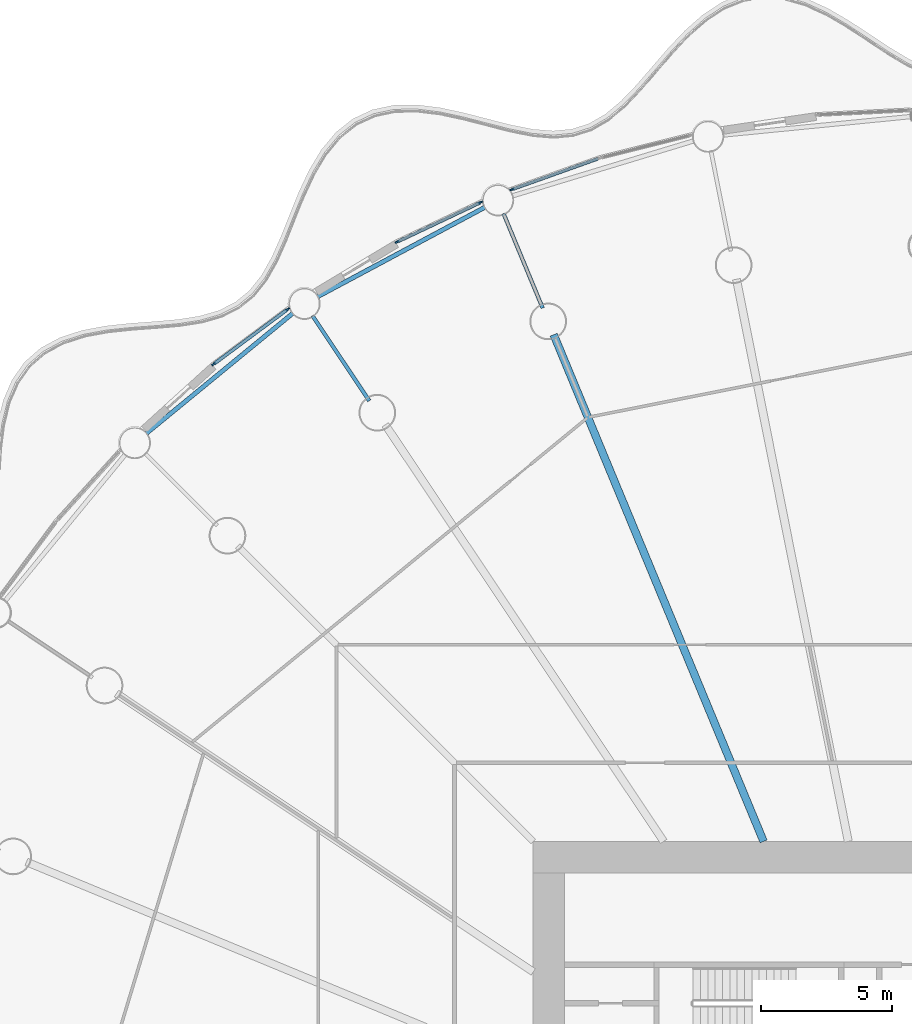
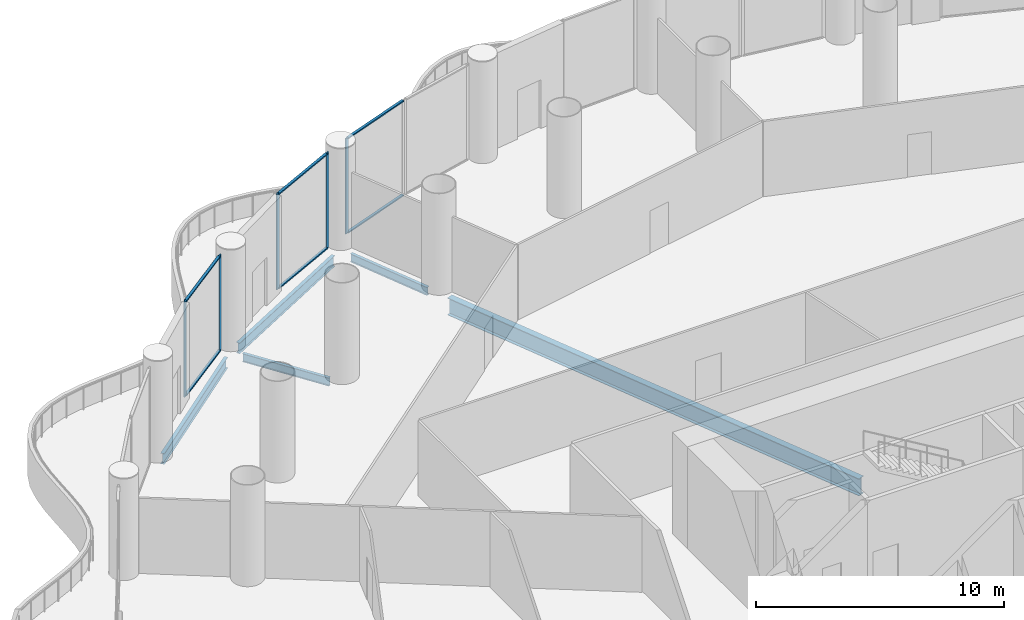
# One storey, part 15 of 38: 11 members, 5 beams, 3 elements without a shape of their own.
"""IFC4 building model written with IfcOpenShell, lengths in metres."""

import ifcopenshell
import ifcopenshell.guid

model = None  # the IFC model being written
_history = None  # IfcOwnerHistory: only IFC2X3 demands one
_inside = {}  # id of a spatial element -> (the spatial element, [elements in it])
_under = {}  # id of a project, library or spatial element -> (it, [spatial elements below it])
_declared = {}  # id of a project -> (the project, [libraries it declares])
_typed = {}  # id of a type object -> (the type object, [elements of that type])
_made_of = {}  # id of a material, layer set ... -> (it, [elements and type objects made of it])


def new_model(schema):
    """Start an empty IFC model of exactly this schema.

    Asked for "IFC4X3", IfcOpenShell would pick the latest addendum, in which some entities
    have other attributes; the version numbers below select the first issue.
    IFC2X3 requires an IfcOwnerHistory on every rooted entity: one is made here for all.
    """
    global model, _history
    if schema == "IFC4X3":
        model = ifcopenshell.file(schema_version=(4, 3, 0, 0))
    else:
        model = ifcopenshell.file(schema=schema)
    _inside.clear()
    _under.clear()
    _declared.clear()
    _typed.clear()
    _made_of.clear()
    _history = None
    if model.schema == "IFC2X3":
        org = make("IfcOrganization", Name="unknown")
        user = make(
            "IfcPersonAndOrganization",
            ThePerson=make("IfcPerson", FamilyName="unknown"),
            TheOrganization=org,
        )
        app = make(
            "IfcApplication",
            ApplicationDeveloper=org,
            Version="unknown",
            ApplicationFullName="unknown",
            ApplicationIdentifier="unknown",
        )
        _history = make(
            "IfcOwnerHistory",
            OwningUser=user,
            OwningApplication=app,
            ChangeAction="ADDED",
            CreationDate=0,
        )
    return model


def make(cls, **values):
    """One entity of the class cls with the attributes given. An attribute that is None is left unset."""
    return model.create_entity(
        cls, **{name: value for name, value in values.items() if value is not None}
    )


def rooted(cls, **values):
    """An entity with a GlobalId (a new one), such as an element, a storey or a relation."""
    return make(cls, GlobalId=ifcopenshell.guid.new(), OwnerHistory=_history, **values)


def si_unit(unit_type, name, prefix=None):
    """IfcSIUnit, for example si_unit("LENGTHUNIT", "METRE", prefix="MILLI")."""
    return make("IfcSIUnit", UnitType=unit_type, Prefix=prefix, Name=name)


def assignment(units):
    """IfcUnitAssignment: the units of a project."""
    return None if units is None else make("IfcUnitAssignment", Units=units)


def point(xyz):
    """IfcCartesianPoint."""
    return None if xyz is None else make("IfcCartesianPoint", Coordinates=xyz)


def direction(xyz):
    """IfcDirection."""
    return None if xyz is None else make("IfcDirection", DirectionRatios=xyz)


def frame(location, z_axis=None, x_axis=None):
    """IfcAxis2Placement3D, a coordinate frame: its origin and axes. An axis left out is left unset."""
    return make(
        "IfcAxis2Placement3D",
        Location=point(location),
        Axis=direction(z_axis),
        RefDirection=direction(x_axis),
    )


def frame_2d(location, x_axis=None):
    """IfcAxis2Placement2D, a coordinate frame in the plane: its origin and x axis."""
    return make(
        "IfcAxis2Placement2D", Location=point(location), RefDirection=direction(x_axis)
    )


def origin():
    """The frame at (0, 0, 0) with its axes left unset."""
    return frame((0.0, 0.0, 0.0))


def origin_2d():
    """The frame at (0, 0) in the plane with its x axis left unset."""
    return frame_2d((0.0, 0.0))


def place(relative_to, where):
    """IfcLocalPlacement: puts the frame where relative to a parent placement (None: the world)."""
    return make(
        "IfcLocalPlacement", PlacementRelTo=relative_to, RelativePlacement=where
    )


def context(
    kind, dimensions, precision=None, world=None, true_north=None, identifier=None
):
    """IfcGeometricRepresentationContext, for example the 3D "Model" context."""
    return make(
        "IfcGeometricRepresentationContext",
        ContextIdentifier=identifier,
        ContextType=kind,
        CoordinateSpaceDimension=dimensions,
        Precision=precision,
        WorldCoordinateSystem=world,
        TrueNorth=true_north,
    )


def subcontext(parent, identifier, kind, view, scale=None):
    """IfcGeometricRepresentationSubContext, for example "Body" below "Model"."""
    return make(
        "IfcGeometricRepresentationSubContext",
        ContextIdentifier=identifier,
        ContextType=kind,
        ParentContext=parent,
        TargetScale=scale,
        TargetView=view,
    )


def project(units=None, contexts=None):
    """IfcProject with its units and contexts."""
    return rooted(
        "IfcProject",
        Name="project",
        RepresentationContexts=contexts,
        UnitsInContext=assignment(units),
    )


def spatial(cls, under=None, at=None, **own):
    """A site, building, storey or space (cls), placed at a placement, below another one or the project."""
    s = rooted(cls, ObjectPlacement=at, **own)
    if under is not None:
        _under.setdefault(under.id(), (under, []))[1].append(s)
    return s


def profile(cls, at=None, kind="AREA", **sizes):
    """A parametric profile (cls). Its sizes go by their IFC names, for example OverallWidth=200.0."""
    return make(cls, ProfileType=kind, Position=at, **sizes)


def rectangle(**sizes):
    """IfcRectangleProfileDef."""
    return profile("IfcRectangleProfileDef", **sizes)


def i_section(**sizes):
    """IfcIShapeProfileDef."""
    return profile("IfcIShapeProfileDef", **sizes)


def extrude(swept, where, along, depth):
    """IfcExtrudedAreaSolid: the profile swept, set in the frame where, extruded along a direction by depth."""
    return make(
        "IfcExtrudedAreaSolid",
        SweptArea=swept,
        Position=where,
        ExtrudedDirection=direction(along),
        Depth=depth,
    )


def shape(context_of_items, identifier, shape_type, items):
    """IfcShapeRepresentation: the items that make up one representation, for example the "Body"."""
    return make(
        "IfcShapeRepresentation",
        ContextOfItems=context_of_items,
        RepresentationIdentifier=identifier,
        RepresentationType=shape_type,
        Items=items,
    )


def material(Name=None, Category=None):
    """IfcMaterial."""
    return make("IfcMaterial", Name=Name, Category=Category)


def material_profile(
    of_material, cross_section, Name=None, Category=None, Priority=None
):
    """IfcMaterialProfile: a cross section and its material."""
    return make(
        "IfcMaterialProfile",
        Name=Name,
        Material=of_material,
        Profile=cross_section,
        Priority=Priority,
        Category=Category,
    )


def profile_set(profiles, Name=None, composite=None):
    """IfcMaterialProfileSet."""
    return make(
        "IfcMaterialProfileSet",
        Name=Name,
        MaterialProfiles=profiles,
        CompositeProfile=composite,
    )


def made_of(thing, what):
    """Note that an element or type object is made of a material, layer set ...; save() writes the relation."""
    if what is not None:
        _made_of.setdefault(what.id(), (what, []))[1].append(thing)
    return thing


def type_object(cls, material=None, **own):
    """A type object (cls), such as IfcWallType, which elements share."""
    return made_of(rooted(cls, **own), material)


def element(
    cls,
    number,
    at=None,
    inside=None,
    cuts=None,
    type_object=None,
    material=None,
    context=None,
    identifier="Body",
    shape_type=None,
    held_by="IfcProductDefinitionShape",
    body=None,
    shapes=None,
    **own,
):
    """One element of the class cls, such as IfcWall. Its Tag is "e" and its number.

    at: its placement. inside: the storey or other place that contains it. cuts: it is an
    opening in that element (IfcRelVoidsElement). A single representation is given by context,
    identifier, shape_type and body (its items); several are given by shapes. held_by: the class
    of the entity that holds the representations. save() writes the other relations.
    """
    e = rooted(cls, Tag="e%d" % number, ObjectPlacement=at, **own)
    if body is not None:
        shapes = [shape(context, identifier, shape_type, body)]
    if shapes is not None:
        e.Representation = make(held_by, Representations=shapes)
    if inside is not None:
        _inside.setdefault(inside.id(), (inside, []))[1].append(e)
    if cuts is not None:
        rooted(
            "IfcRelVoidsElement", RelatingBuildingElement=cuts, RelatedOpeningElement=e
        )
    if type_object is not None:
        _typed.setdefault(type_object.id(), (type_object, []))[1].append(e)
    return made_of(e, material)


def aggregate(whole, parts):
    """IfcRelAggregates: a whole, such as a stair, and the parts it consists of."""
    return rooted("IfcRelAggregates", RelatingObject=whole, RelatedObjects=parts)


def save(model, path):
    """Write the relations noted so far, then the file.

    IfcRelAggregates (storeys below a building ...), IfcRelContainedInSpatialStructure (elements
    in a storey), IfcRelDefinesByType, IfcRelAssociatesMaterial and IfcRelDeclares: one each for
    every whole, place, type object, material and project.
    """
    for whole, parts in _under.values():
        aggregate(whole, parts)
    for where, things in _inside.values():
        rooted(
            "IfcRelContainedInSpatialStructure",
            RelatedElements=things,
            RelatingStructure=where,
        )
    for kind, things in _typed.values():
        rooted("IfcRelDefinesByType", RelatedObjects=things, RelatingType=kind)
    for what, things in _made_of.values():
        rooted("IfcRelAssociatesMaterial", RelatedObjects=things, RelatingMaterial=what)
    for by, libraries in _declared.values():
        rooted("IfcRelDeclares", RelatingContext=by, RelatedDefinitions=libraries)
    model.write(path)


model = new_model("IFC4")

# Units and contexts
model_context = context("Model", 3, precision=1e-05, world=origin(), true_north=direction((0.0, 1.0)))
body_context = subcontext(model_context, "Body", "Model", "MODEL_VIEW")
ifc_project = project(units=[si_unit("LENGTHUNIT", "METRE"), si_unit("AREAUNIT", "SQUARE_METRE"), si_unit("VOLUMEUNIT", "CUBIC_METRE"), si_unit("PLANEANGLEUNIT", "RADIAN"), si_unit("MASSUNIT", "GRAM", prefix="KILO")], contexts=[model_context])

# Site, building, storey
site_placement = place(None, origin())
site = spatial("IfcSite", under=ifc_project, at=site_placement, CompositionType="ELEMENT")
building_placement = place(site_placement, origin())
building = spatial("IfcBuilding", under=site, at=building_placement, Name="Corvane Civic Tower", CompositionType="ELEMENT")
storey_placement = place(building_placement, frame((0.0, 0.0, 32.0)))
storey = spatial("IfcBuildingStorey", under=building, at=storey_placement, Name="L06", CompositionType="ELEMENT", Elevation=32.0)

# Beams
ifc_material_1 = material(Name="Steel ASTM A992 Gr 50", Category="steel")
ifc_material_profile_1 = material_profile(ifc_material_1, i_section(OverallWidth=0.165771484375, OverallDepth=0.5283203125, WebThickness=0.009765625, FlangeThickness=0.013671875, at=origin_2d()), Name="W21X50")
ifc_profile_set_1 = profile_set([ifc_material_profile_1], Name="Steel ASTM A992 Gr 50")
beam_type_1 = type_object("IfcBeamType", Name="EDGE BEAM W21X50", PredefinedType="BEAM", material=ifc_profile_set_1)
for number, where, z_axis, x_axis, name in (
    (1, (-29.768310546875, 30.542236328125, -0.564208984375), (0.773007924807, 0.634396365205, 0.0), (-0.634396365205, 0.773007924807, 0.0), "BM-L06-E29"),
    (2, (-23.23779296875, 35.762939453125, -0.564208984375), (0.881912894916, 0.471412394598, 0.0), (-0.471412394598, 0.881912894916, 0.0), "BM-L06-E30"),
):
    element("IfcBeam", number, at=place(storey_placement, frame(where, z_axis=z_axis, x_axis=x_axis)), inside=storey, type_object=beam_type_1, Name=name, PredefinedType="BEAM", context=body_context, shape_type="SweptSolid", body=[
        extrude(i_section(OverallWidth=0.165771484375, OverallDepth=0.5283203125, WebThickness=0.009765625, FlangeThickness=0.013671875, at=origin_2d()), origin(), (0.0, 0.0, 1.0), 7.270751953125),
    ])
ifc_material_2 = material(Name="Steel ASTM A992 Gr 50", Category="steel")
ifc_material_profile_2 = material_profile(ifc_material_2, i_section(OverallWidth=0.140380859375, OverallDepth=0.40380859375, WebThickness=0.007080078125, FlangeThickness=0.01123046875, at=origin_2d()), Name="W16X31")
ifc_profile_set_2 = profile_set([ifc_material_profile_2], Name="Steel ASTM A992 Gr 50")
beam_type_2 = type_object("IfcBeamType", Name="FLOOR GIRDER W16X31", PredefinedType="BEAM", material=ifc_profile_set_2)
for number, where, z_axis, x_axis, name in (
    (3, (-21.25048828125, 31.8037109375, -0.501953125), (-0.555581110199, 0.831462344301, 0.0), (-0.831462344301, -0.555581110199, 0.0), "BM-L06-G30b"),
    (4, (-14.6376953125, 35.33837890625, -0.501953125), (-0.382685369162, 0.923878730261, 0.0), (-0.923878730261, -0.382685369162, 0.0), "BM-L06-G31b"),
):
    element("IfcBeam", number, at=place(storey_placement, frame(where, z_axis=z_axis, x_axis=x_axis)), inside=storey, type_object=beam_type_2, Name=name, PredefinedType="BEAM", context=body_context, shape_type="SweptSolid", body=[
        extrude(i_section(OverallWidth=0.140380859375, OverallDepth=0.40380859375, WebThickness=0.007080078125, FlangeThickness=0.01123046875, at=origin_2d()), origin(), (0.0, 0.0, 1.0), 3.89990234375),
    ])
ifc_material_3 = material(Name="Steel ASTM A992 Gr 50", Category="steel")
ifc_material_profile_3 = material_profile(ifc_material_3, i_section(OverallWidth=0.2919921875, OverallDepth=0.845703125, WebThickness=0.015380859375, FlangeThickness=0.0244140625, at=origin_2d()), Name="W33X141")
ifc_profile_set_3 = profile_set([ifc_material_profile_3], Name="Steel ASTM A992 Gr 50")
beam_type_3 = type_object("IfcBeamType", Name="FLOOR GIRDER W33X141", PredefinedType="BEAM", material=ifc_profile_set_3)
beam_placement = place(storey_placement, frame((-6.213134765625, 15.0, -0.722900390625), z_axis=(-0.382692360381, 0.923875834355, 0.0), x_axis=(-0.923875834355, -0.382692360381, 0.0)))
element("IfcBeam", 5, at=beam_placement, inside=storey, type_object=beam_type_3, Name="BM-L06-G31", PredefinedType="BEAM", context=body_context, shape_type="SweptSolid", body=[
    extrude(i_section(OverallWidth=0.2919921875, OverallDepth=0.845703125, WebThickness=0.015380859375, FlangeThickness=0.0244140625, at=origin_2d()), origin(), (0.0, 0.0, 1.0), 20.9140625),
])

# Curtain wall, members
ifc_material_4 = material(Name="Aluminium and glass", Category="aluminium")
curtain_wall_type = type_object("IfcCurtainWallType", Name="PODIUM-CW-P-RUN", PredefinedType="NOTDEFINED", material=ifc_material_4)
curtain_wall_1_placement = place(storey_placement, origin())
curtain_wall_1 = element("IfcCurtainWall", 6, at=curtain_wall_1_placement, inside=storey, type_object=curtain_wall_type, Name="PODI run L06-drum-29B", PredefinedType="NOTDEFINED")
ifc_material_5 = material(Name="Anodised aluminium bronze", Category="aluminium")
ifc_material_profile_4 = material_profile(ifc_material_5, rectangle(XDim=0.06005859375, YDim=0.159912109375, at=origin_2d()), Name="AL 60x160")
ifc_profile_set_4 = profile_set([ifc_material_profile_4], Name="Anodised aluminium bronze")
member_type_1 = type_object("IfcMemberType", Name="PODIUM-CWP-MULLION-60x160", PredefinedType="MULLION", material=ifc_profile_set_4)
member_1_placement = place(storey_placement, frame((-27.18505859375, 33.197021484375, 0.0), z_axis=(0.0, 0.0, 1.0), x_axis=(-0.595705104665, 0.803203229747, 0.0)))
member_1 = element("IfcMember", 7, at=member_1_placement, type_object=member_type_1, Name="CW-P mullion 1", PredefinedType="MULLION", context=body_context, shape_type="SweptSolid", body=[
    extrude(rectangle(XDim=0.06005859375, YDim=0.159912109375, at=origin_2d()), origin(), (0.0, 0.0, 1.0), 4.699951171875),
])
member_2_placement = place(storey_placement, frame((-24.35791015625, 35.293701171875, 0.0), z_axis=(0.0, 0.0, 1.0), x_axis=(-0.595705104665, 0.803203229747, 0.0)))
member_2 = element("IfcMember", 8, at=member_2_placement, type_object=member_type_1, Name="CW-P mullion 2", PredefinedType="MULLION", context=body_context, shape_type="SweptSolid", body=[
    extrude(rectangle(XDim=0.06005859375, YDim=0.159912109375, at=origin_2d()), origin(), (0.0, 0.0, 1.0), 4.699951171875),
])

curtain_wall_2_placement = place(storey_placement, origin())
curtain_wall_2 = element("IfcCurtainWall", 9, at=curtain_wall_2_placement, inside=storey, type_object=curtain_wall_type, Name="PODI run L06-drum-30B", PredefinedType="NOTDEFINED")
member_3_placement = place(storey_placement, frame((-20.186279296875, 37.862548828125, 0.0), z_axis=(0.0, 0.0, 1.0), x_axis=(-0.42755312852, 0.903990222454, 0.0)))
member_3 = element("IfcMember", 10, at=member_3_placement, type_object=member_type_1, Name="CW-P mullion 1", PredefinedType="MULLION", context=body_context, shape_type="SweptSolid", body=[
    extrude(rectangle(XDim=0.06005859375, YDim=0.159912109375, at=origin_2d()), origin(), (0.0, 0.0, 1.0), 4.699951171875),
])
member_4_placement = place(storey_placement, frame((-17.00439453125, 39.36767578125, 0.0), z_axis=(0.0, 0.0, 1.0), x_axis=(-0.42755312852, 0.903990222454, 0.0)))
member_4 = element("IfcMember", 11, at=member_4_placement, type_object=member_type_1, Name="CW-P mullion 2", PredefinedType="MULLION", context=body_context, shape_type="SweptSolid", body=[
    extrude(rectangle(XDim=0.06005859375, YDim=0.159912109375, at=origin_2d()), origin(), (0.0, 0.0, 1.0), 4.699951171875),
])

# Curtain wall, member
curtain_wall_3_placement = place(storey_placement, origin())
curtain_wall_3 = element("IfcCurtainWall", 12, at=curtain_wall_3_placement, inside=storey, type_object=curtain_wall_type, Name="PODI run L06-drum-31A", PredefinedType="NOTDEFINED")
member_5_placement = place(storey_placement, frame((-15.81298828125, 39.861083984375, 0.0), z_axis=(0.0, 0.0, 1.0), x_axis=(-0.336918534123, 0.941533802561, 0.0)))
member_5 = element("IfcMember", 13, at=member_5_placement, type_object=member_type_1, Name="CW-P mullion 1", PredefinedType="MULLION", context=body_context, shape_type="SweptSolid", body=[
    extrude(rectangle(XDim=0.06005859375, YDim=0.159912109375, at=origin_2d()), origin(), (0.0, 0.0, 1.0), 4.699951171875),
])

# Member
ifc_material_6 = material(Name="Anodised aluminium bronze", Category="aluminium")
ifc_material_profile_5 = material_profile(ifc_material_6, rectangle(XDim=0.1201171875, YDim=0.06005859375, at=origin_2d()), Name="AL 120x60")
ifc_profile_set_5 = profile_set([ifc_material_profile_5], Name="Anodised aluminium bronze")
member_type_2 = type_object("IfcMemberType", Name="PODIUM-CWP-TRANSOM-60x120", PredefinedType="USERDEFINED", material=ifc_profile_set_5)
member_6_placement = place(storey_placement, frame((-27.160888671875, 33.21484375, 0.030029296875), z_axis=(0.803189518598, 0.595723591285, 0.0), x_axis=(-0.595723591285, 0.803189518598, 0.0)))
member_6 = element("IfcMember", 14, at=member_6_placement, type_object=member_type_2, Name="CW-P transom 1.1", ObjectType="TRANSOM", PredefinedType="USERDEFINED", context=body_context, shape_type="SweptSolid", body=[
    extrude(rectangle(XDim=0.1201171875, YDim=0.06005859375, at=origin_2d()), origin(), (0.0, 0.0, 1.0), 3.459716796875),
])

member_7_placement = place(storey_placement, frame((-27.160888671875, 33.21484375, 4.669921875), z_axis=(0.803189518598, 0.595723591285, 0.0), x_axis=(-0.595723591285, 0.803189518598, 0.0)))
member_7 = element("IfcMember", 15, at=member_7_placement, type_object=member_type_2, Name="CW-P transom 1.2", ObjectType="TRANSOM", PredefinedType="USERDEFINED", context=body_context, shape_type="SweptSolid", body=[
    extrude(rectangle(XDim=0.1201171875, YDim=0.06005859375, at=origin_2d()), origin(), (0.0, 0.0, 1.0), 3.459716796875),
])

aggregate(curtain_wall_1, [member_1, member_2, member_6, member_7])

member_8_placement = place(storey_placement, frame((-20.1591796875, 37.87548828125, 0.030029296875), z_axis=(0.903993431638, 0.427546343166, 0.0), x_axis=(-0.427546343166, 0.903993431638, 0.0)))
member_8 = element("IfcMember", 16, at=member_8_placement, type_object=member_type_2, Name="CW-P transom 1.1", ObjectType="TRANSOM", PredefinedType="USERDEFINED", context=body_context, shape_type="SweptSolid", body=[
    extrude(rectangle(XDim=0.1201171875, YDim=0.06005859375, at=origin_2d()), origin(), (0.0, 0.0, 1.0), 3.4599609375),
])

member_9_placement = place(storey_placement, frame((-20.1591796875, 37.87548828125, 4.669921875), z_axis=(0.903993431638, 0.427546343166, 0.0), x_axis=(-0.427546343166, 0.903993431638, 0.0)))
member_9 = element("IfcMember", 17, at=member_9_placement, type_object=member_type_2, Name="CW-P transom 1.2", ObjectType="TRANSOM", PredefinedType="USERDEFINED", context=body_context, shape_type="SweptSolid", body=[
    extrude(rectangle(XDim=0.1201171875, YDim=0.06005859375, at=origin_2d()), origin(), (0.0, 0.0, 1.0), 3.4599609375),
])

aggregate(curtain_wall_2, [member_3, member_4, member_8, member_9])

member_10_placement = place(storey_placement, frame((-15.78466796875, 39.87109375, 0.030029296875), z_axis=(0.941526196838, 0.336939787896, 0.0), x_axis=(-0.336939787896, 0.941526196838, 0.0)))
member_10 = element("IfcMember", 18, at=member_10_placement, type_object=member_type_2, Name="CW-P transom 1.1", ObjectType="TRANSOM", PredefinedType="USERDEFINED", context=body_context, shape_type="SweptSolid", body=[
    extrude(rectangle(XDim=0.1201171875, YDim=0.06005859375, at=origin_2d()), origin(), (0.0, 0.0, 1.0), 3.4599609375),
])

member_11_placement = place(storey_placement, frame((-15.78466796875, 39.87109375, 4.669921875), z_axis=(0.941526196838, 0.336939787896, 0.0), x_axis=(-0.336939787896, 0.941526196838, 0.0)))
member_11 = element("IfcMember", 19, at=member_11_placement, type_object=member_type_2, Name="CW-P transom 1.2", ObjectType="TRANSOM", PredefinedType="USERDEFINED", context=body_context, shape_type="SweptSolid", body=[
    extrude(rectangle(XDim=0.1201171875, YDim=0.06005859375, at=origin_2d()), origin(), (0.0, 0.0, 1.0), 3.4599609375),
])

aggregate(curtain_wall_3, [member_5, member_10, member_11])

save(model, "model.ifc")
